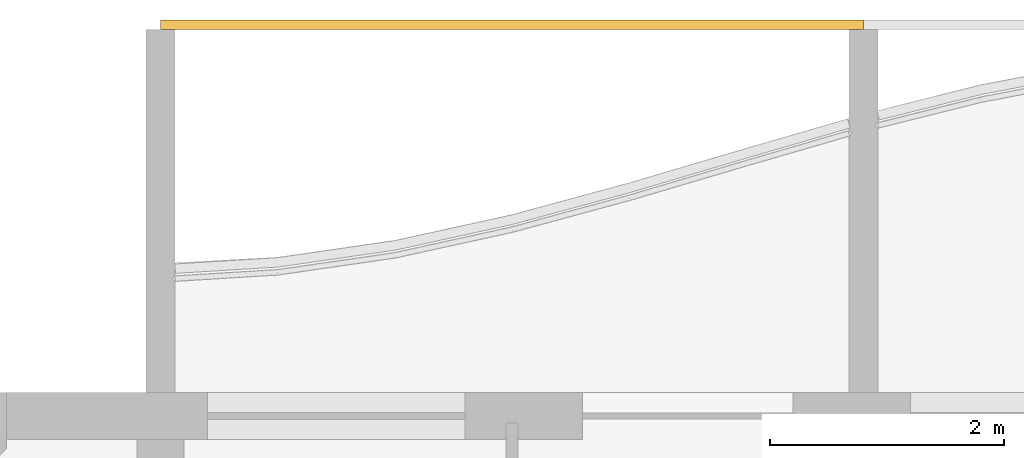
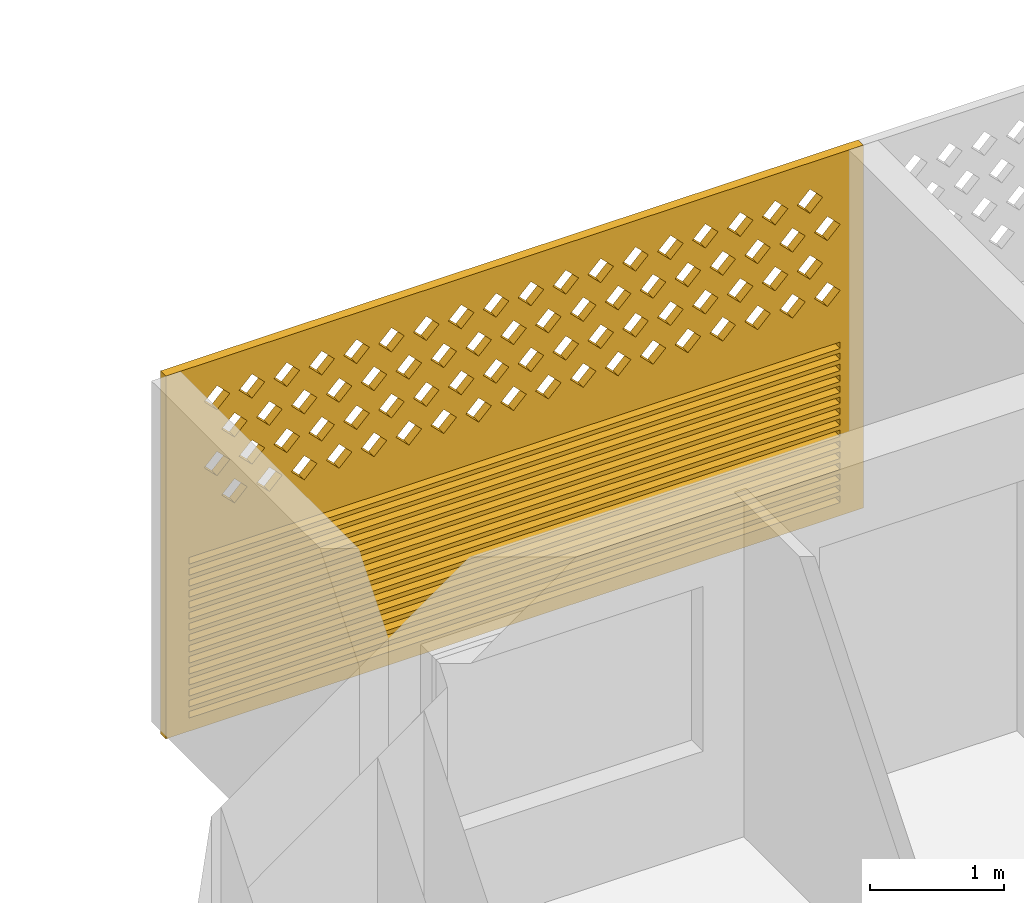
# One storey, part 20 of 39: 1 covering.
"""IFC4 building model written with IfcOpenShell, lengths in metres."""

from ifc_helpers import new_model, si_unit, direction, frame, origin, place, context, subcontext, project, spatial, polyline, outline, extrude, source, transform, mapped, material, material_profile, profile_set, type_object, element, save


model = new_model("IFC4")

# Units and contexts
model_context = context("Model", 3, precision=1e-05, world=origin(), true_north=direction((0.0, 1.0)))
body_context = subcontext(model_context, "Body", "Model", "MODEL_VIEW")
ifc_project = project(units=[si_unit("LENGTHUNIT", "METRE"), si_unit("AREAUNIT", "SQUARE_METRE"), si_unit("VOLUMEUNIT", "CUBIC_METRE"), si_unit("PLANEANGLEUNIT", "RADIAN"), si_unit("MASSUNIT", "GRAM", prefix="KILO")], contexts=[model_context])

# Site, building, storey
site_placement = place(None, origin())
site = spatial("IfcSite", under=ifc_project, at=site_placement, CompositionType="ELEMENT")
building_placement = place(site_placement, origin())
building = spatial("IfcBuilding", under=site, at=building_placement, Name="Poui Terraces", CompositionType="ELEMENT")
storey_placement = place(building_placement, frame((0.0, 0.0, 59.699951171875)))
storey = spatial("IfcBuildingStorey", under=building, at=storey_placement, Name="L16", CompositionType="ELEMENT", Elevation=59.699951171875)

# Covering
ifc_material = material(Name="Terracotta screen", Category="masonry")
ifc_material_profile = material_profile(ifc_material, outline(polyline([(-3.0, -1.64990234375), (3.0, -1.64990234375), (3.0, 1.64990234375), (-3.0, 1.64990234375), (-3.0, -1.64990234375)]), holes=[polyline([(-2.800048828125, 0.39990234375), (-2.68994140625, 0.2900390625), (-2.580078125, 0.39990234375), (-2.68994140625, 0.510009765625), (-2.800048828125, 0.39990234375)]), polyline([(-2.5, 0.39990234375), (-2.389892578125, 0.2900390625), (-2.280029296875, 0.39990234375), (-2.389892578125, 0.510009765625), (-2.5, 0.39990234375)]), polyline([(-2.199951171875, 0.39990234375), (-2.090087890625, 0.2900390625), (-1.97998046875, 0.39990234375), (-2.090087890625, 0.510009765625), (-2.199951171875, 0.39990234375)]), polyline([(-1.89990234375, 0.39990234375), (-1.7900390625, 0.2900390625), (-1.679931640625, 0.39990234375), (-1.7900390625, 0.510009765625), (-1.89990234375, 0.39990234375)]), polyline([(-1.60009765625, 0.39990234375), (-1.489990234375, 0.2900390625), (-1.3798828125, 0.39990234375), (-1.489990234375, 0.510009765625), (-1.60009765625, 0.39990234375)]), polyline([(-1.300048828125, 0.39990234375), (-1.18994140625, 0.2900390625), (-1.080078125, 0.39990234375), (-1.18994140625, 0.510009765625), (-1.300048828125, 0.39990234375)]), polyline([(-1.0, 0.39990234375), (-0.889892578125, 0.2900390625), (-0.780029296875, 0.39990234375), (-0.889892578125, 0.510009765625), (-1.0, 0.39990234375)]), polyline([(-0.699951171875, 0.39990234375), (-0.590087890625, 0.2900390625), (-0.47998046875, 0.39990234375), (-0.590087890625, 0.510009765625), (-0.699951171875, 0.39990234375)]), polyline([(-0.39990234375, 0.39990234375), (-0.2900390625, 0.2900390625), (-0.179931640625, 0.39990234375), (-0.2900390625, 0.510009765625), (-0.39990234375, 0.39990234375)]), polyline([(-0.10009765625, 0.39990234375), (0.010009765625, 0.2900390625), (0.1201171875, 0.39990234375), (0.010009765625, 0.510009765625), (-0.10009765625, 0.39990234375)]), polyline([(0.199951171875, 0.39990234375), (0.31005859375, 0.2900390625), (0.419921875, 0.39990234375), (0.31005859375, 0.510009765625), (0.199951171875, 0.39990234375)]), polyline([(0.5, 0.39990234375), (0.610107421875, 0.2900390625), (0.719970703125, 0.39990234375), (0.610107421875, 0.510009765625), (0.5, 0.39990234375)]), polyline([(0.800048828125, 0.39990234375), (0.909912109375, 0.2900390625), (1.02001953125, 0.39990234375), (0.909912109375, 0.510009765625), (0.800048828125, 0.39990234375)]), polyline([(1.10009765625, 0.39990234375), (1.2099609375, 0.2900390625), (1.320068359375, 0.39990234375), (1.2099609375, 0.510009765625), (1.10009765625, 0.39990234375)]), polyline([(1.39990234375, 0.39990234375), (1.510009765625, 0.2900390625), (1.6201171875, 0.39990234375), (1.510009765625, 0.510009765625), (1.39990234375, 0.39990234375)]), polyline([(1.699951171875, 0.39990234375), (1.81005859375, 0.2900390625), (1.919921875, 0.39990234375), (1.81005859375, 0.510009765625), (1.699951171875, 0.39990234375)]), polyline([(2.0, 0.39990234375), (2.110107421875, 0.2900390625), (2.219970703125, 0.39990234375), (2.110107421875, 0.510009765625), (2.0, 0.39990234375)]), polyline([(2.300048828125, 0.39990234375), (2.409912109375, 0.2900390625), (2.52001953125, 0.39990234375), (2.409912109375, 0.510009765625), (2.300048828125, 0.39990234375)]), polyline([(-2.64990234375, 0.699951171875), (-2.5400390625, 0.590087890625), (-2.429931640625, 0.699951171875), (-2.5400390625, 0.81005859375), (-2.64990234375, 0.699951171875)]), polyline([(-2.35009765625, 0.699951171875), (-2.239990234375, 0.590087890625), (-2.1298828125, 0.699951171875), (-2.239990234375, 0.81005859375), (-2.35009765625, 0.699951171875)]), polyline([(-2.050048828125, 0.699951171875), (-1.93994140625, 0.590087890625), (-1.830078125, 0.699951171875), (-1.93994140625, 0.81005859375), (-2.050048828125, 0.699951171875)]), polyline([(-1.75, 0.699951171875), (-1.639892578125, 0.590087890625), (-1.530029296875, 0.699951171875), (-1.639892578125, 0.81005859375), (-1.75, 0.699951171875)]), polyline([(-1.449951171875, 0.699951171875), (-1.340087890625, 0.590087890625), (-1.22998046875, 0.699951171875), (-1.340087890625, 0.81005859375), (-1.449951171875, 0.699951171875)]), polyline([(-1.14990234375, 0.699951171875), (-1.0400390625, 0.590087890625), (-0.929931640625, 0.699951171875), (-1.0400390625, 0.81005859375), (-1.14990234375, 0.699951171875)]), polyline([(-0.85009765625, 0.699951171875), (-0.739990234375, 0.590087890625), (-0.6298828125, 0.699951171875), (-0.739990234375, 0.81005859375), (-0.85009765625, 0.699951171875)]), polyline([(-0.550048828125, 0.699951171875), (-0.43994140625, 0.590087890625), (-0.330078125, 0.699951171875), (-0.43994140625, 0.81005859375), (-0.550048828125, 0.699951171875)]), polyline([(-0.25, 0.699951171875), (-0.139892578125, 0.590087890625), (-0.030029296875, 0.699951171875), (-0.139892578125, 0.81005859375), (-0.25, 0.699951171875)]), polyline([(0.050048828125, 0.699951171875), (0.159912109375, 0.590087890625), (0.27001953125, 0.699951171875), (0.159912109375, 0.81005859375), (0.050048828125, 0.699951171875)]), polyline([(0.35009765625, 0.699951171875), (0.4599609375, 0.590087890625), (0.570068359375, 0.699951171875), (0.4599609375, 0.81005859375), (0.35009765625, 0.699951171875)]), polyline([(0.64990234375, 0.699951171875), (0.760009765625, 0.590087890625), (0.8701171875, 0.699951171875), (0.760009765625, 0.81005859375), (0.64990234375, 0.699951171875)]), polyline([(0.949951171875, 0.699951171875), (1.06005859375, 0.590087890625), (1.169921875, 0.699951171875), (1.06005859375, 0.81005859375), (0.949951171875, 0.699951171875)]), polyline([(1.25, 0.699951171875), (1.360107421875, 0.590087890625), (1.469970703125, 0.699951171875), (1.360107421875, 0.81005859375), (1.25, 0.699951171875)]), polyline([(1.550048828125, 0.699951171875), (1.659912109375, 0.590087890625), (1.77001953125, 0.699951171875), (1.659912109375, 0.81005859375), (1.550048828125, 0.699951171875)]), polyline([(1.85009765625, 0.699951171875), (1.9599609375, 0.590087890625), (2.070068359375, 0.699951171875), (1.9599609375, 0.81005859375), (1.85009765625, 0.699951171875)]), polyline([(2.14990234375, 0.699951171875), (2.260009765625, 0.590087890625), (2.3701171875, 0.699951171875), (2.260009765625, 0.81005859375), (2.14990234375, 0.699951171875)]), polyline([(2.449951171875, 0.699951171875), (2.56005859375, 0.590087890625), (2.669921875, 0.699951171875), (2.56005859375, 0.81005859375), (2.449951171875, 0.699951171875)]), polyline([(-2.800048828125, 1.0), (-2.68994140625, 0.889892578125), (-2.580078125, 1.0), (-2.68994140625, 1.110107421875), (-2.800048828125, 1.0)]), polyline([(-2.5, 1.0), (-2.389892578125, 0.889892578125), (-2.280029296875, 1.0), (-2.389892578125, 1.110107421875), (-2.5, 1.0)]), polyline([(-2.199951171875, 1.0), (-2.090087890625, 0.889892578125), (-1.97998046875, 1.0), (-2.090087890625, 1.110107421875), (-2.199951171875, 1.0)]), polyline([(-1.89990234375, 1.0), (-1.7900390625, 0.889892578125), (-1.679931640625, 1.0), (-1.7900390625, 1.110107421875), (-1.89990234375, 1.0)]), polyline([(-1.60009765625, 1.0), (-1.489990234375, 0.889892578125), (-1.3798828125, 1.0), (-1.489990234375, 1.110107421875), (-1.60009765625, 1.0)]), polyline([(-1.300048828125, 1.0), (-1.18994140625, 0.889892578125), (-1.080078125, 1.0), (-1.18994140625, 1.110107421875), (-1.300048828125, 1.0)]), polyline([(-1.0, 1.0), (-0.889892578125, 0.889892578125), (-0.780029296875, 1.0), (-0.889892578125, 1.110107421875), (-1.0, 1.0)]), polyline([(-0.699951171875, 1.0), (-0.590087890625, 0.889892578125), (-0.47998046875, 1.0), (-0.590087890625, 1.110107421875), (-0.699951171875, 1.0)]), polyline([(-0.39990234375, 1.0), (-0.2900390625, 0.889892578125), (-0.179931640625, 1.0), (-0.2900390625, 1.110107421875), (-0.39990234375, 1.0)]), polyline([(-0.10009765625, 1.0), (0.010009765625, 0.889892578125), (0.1201171875, 1.0), (0.010009765625, 1.110107421875), (-0.10009765625, 1.0)]), polyline([(0.199951171875, 1.0), (0.31005859375, 0.889892578125), (0.419921875, 1.0), (0.31005859375, 1.110107421875), (0.199951171875, 1.0)]), polyline([(0.5, 1.0), (0.610107421875, 0.889892578125), (0.719970703125, 1.0), (0.610107421875, 1.110107421875), (0.5, 1.0)]), polyline([(0.800048828125, 1.0), (0.909912109375, 0.889892578125), (1.02001953125, 1.0), (0.909912109375, 1.110107421875), (0.800048828125, 1.0)]), polyline([(1.10009765625, 1.0), (1.2099609375, 0.889892578125), (1.320068359375, 1.0), (1.2099609375, 1.110107421875), (1.10009765625, 1.0)]), polyline([(1.39990234375, 1.0), (1.510009765625, 0.889892578125), (1.6201171875, 1.0), (1.510009765625, 1.110107421875), (1.39990234375, 1.0)]), polyline([(1.699951171875, 1.0), (1.81005859375, 0.889892578125), (1.919921875, 1.0), (1.81005859375, 1.110107421875), (1.699951171875, 1.0)]), polyline([(2.0, 1.0), (2.110107421875, 0.889892578125), (2.219970703125, 1.0), (2.110107421875, 1.110107421875), (2.0, 1.0)]), polyline([(2.300048828125, 1.0), (2.409912109375, 0.889892578125), (2.52001953125, 1.0), (2.409912109375, 1.110107421875), (2.300048828125, 1.0)]), polyline([(-2.64990234375, 1.300048828125), (-2.5400390625, 1.18994140625), (-2.429931640625, 1.300048828125), (-2.5400390625, 1.409912109375), (-2.64990234375, 1.300048828125)]), polyline([(-2.35009765625, 1.300048828125), (-2.239990234375, 1.18994140625), (-2.1298828125, 1.300048828125), (-2.239990234375, 1.409912109375), (-2.35009765625, 1.300048828125)]), polyline([(-2.050048828125, 1.300048828125), (-1.93994140625, 1.18994140625), (-1.830078125, 1.300048828125), (-1.93994140625, 1.409912109375), (-2.050048828125, 1.300048828125)]), polyline([(-1.75, 1.300048828125), (-1.639892578125, 1.18994140625), (-1.530029296875, 1.300048828125), (-1.639892578125, 1.409912109375), (-1.75, 1.300048828125)]), polyline([(-1.449951171875, 1.300048828125), (-1.340087890625, 1.18994140625), (-1.22998046875, 1.300048828125), (-1.340087890625, 1.409912109375), (-1.449951171875, 1.300048828125)]), polyline([(-1.14990234375, 1.300048828125), (-1.0400390625, 1.18994140625), (-0.929931640625, 1.300048828125), (-1.0400390625, 1.409912109375), (-1.14990234375, 1.300048828125)]), polyline([(-0.85009765625, 1.300048828125), (-0.739990234375, 1.18994140625), (-0.6298828125, 1.300048828125), (-0.739990234375, 1.409912109375), (-0.85009765625, 1.300048828125)]), polyline([(-0.550048828125, 1.300048828125), (-0.43994140625, 1.18994140625), (-0.330078125, 1.300048828125), (-0.43994140625, 1.409912109375), (-0.550048828125, 1.300048828125)]), polyline([(-0.25, 1.300048828125), (-0.139892578125, 1.18994140625), (-0.030029296875, 1.300048828125), (-0.139892578125, 1.409912109375), (-0.25, 1.300048828125)]), polyline([(0.050048828125, 1.300048828125), (0.159912109375, 1.18994140625), (0.27001953125, 1.300048828125), (0.159912109375, 1.409912109375), (0.050048828125, 1.300048828125)]), polyline([(0.35009765625, 1.300048828125), (0.4599609375, 1.18994140625), (0.570068359375, 1.300048828125), (0.4599609375, 1.409912109375), (0.35009765625, 1.300048828125)]), polyline([(0.64990234375, 1.300048828125), (0.760009765625, 1.18994140625), (0.8701171875, 1.300048828125), (0.760009765625, 1.409912109375), (0.64990234375, 1.300048828125)]), polyline([(0.949951171875, 1.300048828125), (1.06005859375, 1.18994140625), (1.169921875, 1.300048828125), (1.06005859375, 1.409912109375), (0.949951171875, 1.300048828125)]), polyline([(1.25, 1.300048828125), (1.360107421875, 1.18994140625), (1.469970703125, 1.300048828125), (1.360107421875, 1.409912109375), (1.25, 1.300048828125)]), polyline([(1.550048828125, 1.300048828125), (1.659912109375, 1.18994140625), (1.77001953125, 1.300048828125), (1.659912109375, 1.409912109375), (1.550048828125, 1.300048828125)]), polyline([(1.85009765625, 1.300048828125), (1.9599609375, 1.18994140625), (2.070068359375, 1.300048828125), (1.9599609375, 1.409912109375), (1.85009765625, 1.300048828125)]), polyline([(2.14990234375, 1.300048828125), (2.260009765625, 1.18994140625), (2.3701171875, 1.300048828125), (2.260009765625, 1.409912109375), (2.14990234375, 1.300048828125)]), polyline([(2.449951171875, 1.300048828125), (2.56005859375, 1.18994140625), (2.669921875, 1.300048828125), (2.56005859375, 1.409912109375), (2.449951171875, 1.300048828125)]), polyline([(-2.800048828125, -1.530029296875), (2.800048828125, -1.530029296875), (2.800048828125, -1.469970703125), (-2.800048828125, -1.469970703125), (-2.800048828125, -1.530029296875)]), polyline([(-2.800048828125, -1.429931640625), (2.800048828125, -1.429931640625), (2.800048828125, -1.3701171875), (-2.800048828125, -1.3701171875), (-2.800048828125, -1.429931640625)]), polyline([(-2.800048828125, -1.330078125), (2.800048828125, -1.330078125), (2.800048828125, -1.27001953125), (-2.800048828125, -1.27001953125), (-2.800048828125, -1.330078125)]), polyline([(-2.800048828125, -1.22998046875), (2.800048828125, -1.22998046875), (2.800048828125, -1.169921875), (-2.800048828125, -1.169921875), (-2.800048828125, -1.22998046875)]), polyline([(-2.800048828125, -1.1298828125), (2.800048828125, -1.1298828125), (2.800048828125, -1.070068359375), (-2.800048828125, -1.070068359375), (-2.800048828125, -1.1298828125)]), polyline([(-2.800048828125, -1.030029296875), (2.800048828125, -1.030029296875), (2.800048828125, -0.969970703125), (-2.800048828125, -0.969970703125), (-2.800048828125, -1.030029296875)]), polyline([(-2.800048828125, -0.929931640625), (2.800048828125, -0.929931640625), (2.800048828125, -0.8701171875), (-2.800048828125, -0.8701171875), (-2.800048828125, -0.929931640625)]), polyline([(-2.800048828125, -0.830078125), (2.800048828125, -0.830078125), (2.800048828125, -0.77001953125), (-2.800048828125, -0.77001953125), (-2.800048828125, -0.830078125)]), polyline([(-2.800048828125, -0.72998046875), (2.800048828125, -0.72998046875), (2.800048828125, -0.669921875), (-2.800048828125, -0.669921875), (-2.800048828125, -0.72998046875)]), polyline([(-2.800048828125, -0.6298828125), (2.800048828125, -0.6298828125), (2.800048828125, -0.570068359375), (-2.800048828125, -0.570068359375), (-2.800048828125, -0.6298828125)]), polyline([(-2.800048828125, -0.530029296875), (2.800048828125, -0.530029296875), (2.800048828125, -0.469970703125), (-2.800048828125, -0.469970703125), (-2.800048828125, -0.530029296875)]), polyline([(-2.800048828125, -0.429931640625), (2.800048828125, -0.429931640625), (2.800048828125, -0.3701171875), (-2.800048828125, -0.3701171875), (-2.800048828125, -0.429931640625)]), polyline([(-2.800048828125, -0.330078125), (2.800048828125, -0.330078125), (2.800048828125, -0.27001953125), (-2.800048828125, -0.27001953125), (-2.800048828125, -0.330078125)]), polyline([(-2.800048828125, -0.22998046875), (2.800048828125, -0.22998046875), (2.800048828125, -0.169921875), (-2.800048828125, -0.169921875), (-2.800048828125, -0.22998046875)]), polyline([(-2.800048828125, -0.1298828125), (2.800048828125, -0.1298828125), (2.800048828125, -0.070068359375), (-2.800048828125, -0.070068359375), (-2.800048828125, -0.1298828125)])]), Name="TERRACOTTA SCREEN AND JALOUSIE LOUVRE 6000X3300")
ifc_profile_set = profile_set([ifc_material_profile], Name="Terracotta screen")
covering_type = type_object("IfcCoveringType", Name="TERRACOTTA SCREEN AND JALOUSIE LOUVRE 6000X3300", PredefinedType="CLADDING", material=ifc_profile_set)
shared_shape = source(origin(), body_context, "Body", "SweptSolid", [
    extrude(outline(polyline([(-3.0, -1.64990234375), (3.0, -1.64990234375), (3.0, 1.64990234375), (-3.0, 1.64990234375), (-3.0, -1.64990234375)]), holes=[polyline([(-2.800048828125, 0.39990234375), (-2.68994140625, 0.2900390625), (-2.580078125, 0.39990234375), (-2.68994140625, 0.510009765625), (-2.800048828125, 0.39990234375)]), polyline([(-2.5, 0.39990234375), (-2.389892578125, 0.2900390625), (-2.280029296875, 0.39990234375), (-2.389892578125, 0.510009765625), (-2.5, 0.39990234375)]), polyline([(-2.199951171875, 0.39990234375), (-2.090087890625, 0.2900390625), (-1.97998046875, 0.39990234375), (-2.090087890625, 0.510009765625), (-2.199951171875, 0.39990234375)]), polyline([(-1.89990234375, 0.39990234375), (-1.7900390625, 0.2900390625), (-1.679931640625, 0.39990234375), (-1.7900390625, 0.510009765625), (-1.89990234375, 0.39990234375)]), polyline([(-1.60009765625, 0.39990234375), (-1.489990234375, 0.2900390625), (-1.3798828125, 0.39990234375), (-1.489990234375, 0.510009765625), (-1.60009765625, 0.39990234375)]), polyline([(-1.300048828125, 0.39990234375), (-1.18994140625, 0.2900390625), (-1.080078125, 0.39990234375), (-1.18994140625, 0.510009765625), (-1.300048828125, 0.39990234375)]), polyline([(-1.0, 0.39990234375), (-0.889892578125, 0.2900390625), (-0.780029296875, 0.39990234375), (-0.889892578125, 0.510009765625), (-1.0, 0.39990234375)]), polyline([(-0.699951171875, 0.39990234375), (-0.590087890625, 0.2900390625), (-0.47998046875, 0.39990234375), (-0.590087890625, 0.510009765625), (-0.699951171875, 0.39990234375)]), polyline([(-0.39990234375, 0.39990234375), (-0.2900390625, 0.2900390625), (-0.179931640625, 0.39990234375), (-0.2900390625, 0.510009765625), (-0.39990234375, 0.39990234375)]), polyline([(-0.10009765625, 0.39990234375), (0.010009765625, 0.2900390625), (0.1201171875, 0.39990234375), (0.010009765625, 0.510009765625), (-0.10009765625, 0.39990234375)]), polyline([(0.199951171875, 0.39990234375), (0.31005859375, 0.2900390625), (0.419921875, 0.39990234375), (0.31005859375, 0.510009765625), (0.199951171875, 0.39990234375)]), polyline([(0.5, 0.39990234375), (0.610107421875, 0.2900390625), (0.719970703125, 0.39990234375), (0.610107421875, 0.510009765625), (0.5, 0.39990234375)]), polyline([(0.800048828125, 0.39990234375), (0.909912109375, 0.2900390625), (1.02001953125, 0.39990234375), (0.909912109375, 0.510009765625), (0.800048828125, 0.39990234375)]), polyline([(1.10009765625, 0.39990234375), (1.2099609375, 0.2900390625), (1.320068359375, 0.39990234375), (1.2099609375, 0.510009765625), (1.10009765625, 0.39990234375)]), polyline([(1.39990234375, 0.39990234375), (1.510009765625, 0.2900390625), (1.6201171875, 0.39990234375), (1.510009765625, 0.510009765625), (1.39990234375, 0.39990234375)]), polyline([(1.699951171875, 0.39990234375), (1.81005859375, 0.2900390625), (1.919921875, 0.39990234375), (1.81005859375, 0.510009765625), (1.699951171875, 0.39990234375)]), polyline([(2.0, 0.39990234375), (2.110107421875, 0.2900390625), (2.219970703125, 0.39990234375), (2.110107421875, 0.510009765625), (2.0, 0.39990234375)]), polyline([(2.300048828125, 0.39990234375), (2.409912109375, 0.2900390625), (2.52001953125, 0.39990234375), (2.409912109375, 0.510009765625), (2.300048828125, 0.39990234375)]), polyline([(-2.64990234375, 0.699951171875), (-2.5400390625, 0.590087890625), (-2.429931640625, 0.699951171875), (-2.5400390625, 0.81005859375), (-2.64990234375, 0.699951171875)]), polyline([(-2.35009765625, 0.699951171875), (-2.239990234375, 0.590087890625), (-2.1298828125, 0.699951171875), (-2.239990234375, 0.81005859375), (-2.35009765625, 0.699951171875)]), polyline([(-2.050048828125, 0.699951171875), (-1.93994140625, 0.590087890625), (-1.830078125, 0.699951171875), (-1.93994140625, 0.81005859375), (-2.050048828125, 0.699951171875)]), polyline([(-1.75, 0.699951171875), (-1.639892578125, 0.590087890625), (-1.530029296875, 0.699951171875), (-1.639892578125, 0.81005859375), (-1.75, 0.699951171875)]), polyline([(-1.449951171875, 0.699951171875), (-1.340087890625, 0.590087890625), (-1.22998046875, 0.699951171875), (-1.340087890625, 0.81005859375), (-1.449951171875, 0.699951171875)]), polyline([(-1.14990234375, 0.699951171875), (-1.0400390625, 0.590087890625), (-0.929931640625, 0.699951171875), (-1.0400390625, 0.81005859375), (-1.14990234375, 0.699951171875)]), polyline([(-0.85009765625, 0.699951171875), (-0.739990234375, 0.590087890625), (-0.6298828125, 0.699951171875), (-0.739990234375, 0.81005859375), (-0.85009765625, 0.699951171875)]), polyline([(-0.550048828125, 0.699951171875), (-0.43994140625, 0.590087890625), (-0.330078125, 0.699951171875), (-0.43994140625, 0.81005859375), (-0.550048828125, 0.699951171875)]), polyline([(-0.25, 0.699951171875), (-0.139892578125, 0.590087890625), (-0.030029296875, 0.699951171875), (-0.139892578125, 0.81005859375), (-0.25, 0.699951171875)]), polyline([(0.050048828125, 0.699951171875), (0.159912109375, 0.590087890625), (0.27001953125, 0.699951171875), (0.159912109375, 0.81005859375), (0.050048828125, 0.699951171875)]), polyline([(0.35009765625, 0.699951171875), (0.4599609375, 0.590087890625), (0.570068359375, 0.699951171875), (0.4599609375, 0.81005859375), (0.35009765625, 0.699951171875)]), polyline([(0.64990234375, 0.699951171875), (0.760009765625, 0.590087890625), (0.8701171875, 0.699951171875), (0.760009765625, 0.81005859375), (0.64990234375, 0.699951171875)]), polyline([(0.949951171875, 0.699951171875), (1.06005859375, 0.590087890625), (1.169921875, 0.699951171875), (1.06005859375, 0.81005859375), (0.949951171875, 0.699951171875)]), polyline([(1.25, 0.699951171875), (1.360107421875, 0.590087890625), (1.469970703125, 0.699951171875), (1.360107421875, 0.81005859375), (1.25, 0.699951171875)]), polyline([(1.550048828125, 0.699951171875), (1.659912109375, 0.590087890625), (1.77001953125, 0.699951171875), (1.659912109375, 0.81005859375), (1.550048828125, 0.699951171875)]), polyline([(1.85009765625, 0.699951171875), (1.9599609375, 0.590087890625), (2.070068359375, 0.699951171875), (1.9599609375, 0.81005859375), (1.85009765625, 0.699951171875)]), polyline([(2.14990234375, 0.699951171875), (2.260009765625, 0.590087890625), (2.3701171875, 0.699951171875), (2.260009765625, 0.81005859375), (2.14990234375, 0.699951171875)]), polyline([(2.449951171875, 0.699951171875), (2.56005859375, 0.590087890625), (2.669921875, 0.699951171875), (2.56005859375, 0.81005859375), (2.449951171875, 0.699951171875)]), polyline([(-2.800048828125, 1.0), (-2.68994140625, 0.889892578125), (-2.580078125, 1.0), (-2.68994140625, 1.110107421875), (-2.800048828125, 1.0)]), polyline([(-2.5, 1.0), (-2.389892578125, 0.889892578125), (-2.280029296875, 1.0), (-2.389892578125, 1.110107421875), (-2.5, 1.0)]), polyline([(-2.199951171875, 1.0), (-2.090087890625, 0.889892578125), (-1.97998046875, 1.0), (-2.090087890625, 1.110107421875), (-2.199951171875, 1.0)]), polyline([(-1.89990234375, 1.0), (-1.7900390625, 0.889892578125), (-1.679931640625, 1.0), (-1.7900390625, 1.110107421875), (-1.89990234375, 1.0)]), polyline([(-1.60009765625, 1.0), (-1.489990234375, 0.889892578125), (-1.3798828125, 1.0), (-1.489990234375, 1.110107421875), (-1.60009765625, 1.0)]), polyline([(-1.300048828125, 1.0), (-1.18994140625, 0.889892578125), (-1.080078125, 1.0), (-1.18994140625, 1.110107421875), (-1.300048828125, 1.0)]), polyline([(-1.0, 1.0), (-0.889892578125, 0.889892578125), (-0.780029296875, 1.0), (-0.889892578125, 1.110107421875), (-1.0, 1.0)]), polyline([(-0.699951171875, 1.0), (-0.590087890625, 0.889892578125), (-0.47998046875, 1.0), (-0.590087890625, 1.110107421875), (-0.699951171875, 1.0)]), polyline([(-0.39990234375, 1.0), (-0.2900390625, 0.889892578125), (-0.179931640625, 1.0), (-0.2900390625, 1.110107421875), (-0.39990234375, 1.0)]), polyline([(-0.10009765625, 1.0), (0.010009765625, 0.889892578125), (0.1201171875, 1.0), (0.010009765625, 1.110107421875), (-0.10009765625, 1.0)]), polyline([(0.199951171875, 1.0), (0.31005859375, 0.889892578125), (0.419921875, 1.0), (0.31005859375, 1.110107421875), (0.199951171875, 1.0)]), polyline([(0.5, 1.0), (0.610107421875, 0.889892578125), (0.719970703125, 1.0), (0.610107421875, 1.110107421875), (0.5, 1.0)]), polyline([(0.800048828125, 1.0), (0.909912109375, 0.889892578125), (1.02001953125, 1.0), (0.909912109375, 1.110107421875), (0.800048828125, 1.0)]), polyline([(1.10009765625, 1.0), (1.2099609375, 0.889892578125), (1.320068359375, 1.0), (1.2099609375, 1.110107421875), (1.10009765625, 1.0)]), polyline([(1.39990234375, 1.0), (1.510009765625, 0.889892578125), (1.6201171875, 1.0), (1.510009765625, 1.110107421875), (1.39990234375, 1.0)]), polyline([(1.699951171875, 1.0), (1.81005859375, 0.889892578125), (1.919921875, 1.0), (1.81005859375, 1.110107421875), (1.699951171875, 1.0)]), polyline([(2.0, 1.0), (2.110107421875, 0.889892578125), (2.219970703125, 1.0), (2.110107421875, 1.110107421875), (2.0, 1.0)]), polyline([(2.300048828125, 1.0), (2.409912109375, 0.889892578125), (2.52001953125, 1.0), (2.409912109375, 1.110107421875), (2.300048828125, 1.0)]), polyline([(-2.64990234375, 1.300048828125), (-2.5400390625, 1.18994140625), (-2.429931640625, 1.300048828125), (-2.5400390625, 1.409912109375), (-2.64990234375, 1.300048828125)]), polyline([(-2.35009765625, 1.300048828125), (-2.239990234375, 1.18994140625), (-2.1298828125, 1.300048828125), (-2.239990234375, 1.409912109375), (-2.35009765625, 1.300048828125)]), polyline([(-2.050048828125, 1.300048828125), (-1.93994140625, 1.18994140625), (-1.830078125, 1.300048828125), (-1.93994140625, 1.409912109375), (-2.050048828125, 1.300048828125)]), polyline([(-1.75, 1.300048828125), (-1.639892578125, 1.18994140625), (-1.530029296875, 1.300048828125), (-1.639892578125, 1.409912109375), (-1.75, 1.300048828125)]), polyline([(-1.449951171875, 1.300048828125), (-1.340087890625, 1.18994140625), (-1.22998046875, 1.300048828125), (-1.340087890625, 1.409912109375), (-1.449951171875, 1.300048828125)]), polyline([(-1.14990234375, 1.300048828125), (-1.0400390625, 1.18994140625), (-0.929931640625, 1.300048828125), (-1.0400390625, 1.409912109375), (-1.14990234375, 1.300048828125)]), polyline([(-0.85009765625, 1.300048828125), (-0.739990234375, 1.18994140625), (-0.6298828125, 1.300048828125), (-0.739990234375, 1.409912109375), (-0.85009765625, 1.300048828125)]), polyline([(-0.550048828125, 1.300048828125), (-0.43994140625, 1.18994140625), (-0.330078125, 1.300048828125), (-0.43994140625, 1.409912109375), (-0.550048828125, 1.300048828125)]), polyline([(-0.25, 1.300048828125), (-0.139892578125, 1.18994140625), (-0.030029296875, 1.300048828125), (-0.139892578125, 1.409912109375), (-0.25, 1.300048828125)]), polyline([(0.050048828125, 1.300048828125), (0.159912109375, 1.18994140625), (0.27001953125, 1.300048828125), (0.159912109375, 1.409912109375), (0.050048828125, 1.300048828125)]), polyline([(0.35009765625, 1.300048828125), (0.4599609375, 1.18994140625), (0.570068359375, 1.300048828125), (0.4599609375, 1.409912109375), (0.35009765625, 1.300048828125)]), polyline([(0.64990234375, 1.300048828125), (0.760009765625, 1.18994140625), (0.8701171875, 1.300048828125), (0.760009765625, 1.409912109375), (0.64990234375, 1.300048828125)]), polyline([(0.949951171875, 1.300048828125), (1.06005859375, 1.18994140625), (1.169921875, 1.300048828125), (1.06005859375, 1.409912109375), (0.949951171875, 1.300048828125)]), polyline([(1.25, 1.300048828125), (1.360107421875, 1.18994140625), (1.469970703125, 1.300048828125), (1.360107421875, 1.409912109375), (1.25, 1.300048828125)]), polyline([(1.550048828125, 1.300048828125), (1.659912109375, 1.18994140625), (1.77001953125, 1.300048828125), (1.659912109375, 1.409912109375), (1.550048828125, 1.300048828125)]), polyline([(1.85009765625, 1.300048828125), (1.9599609375, 1.18994140625), (2.070068359375, 1.300048828125), (1.9599609375, 1.409912109375), (1.85009765625, 1.300048828125)]), polyline([(2.14990234375, 1.300048828125), (2.260009765625, 1.18994140625), (2.3701171875, 1.300048828125), (2.260009765625, 1.409912109375), (2.14990234375, 1.300048828125)]), polyline([(2.449951171875, 1.300048828125), (2.56005859375, 1.18994140625), (2.669921875, 1.300048828125), (2.56005859375, 1.409912109375), (2.449951171875, 1.300048828125)]), polyline([(-2.800048828125, -1.530029296875), (2.800048828125, -1.530029296875), (2.800048828125, -1.469970703125), (-2.800048828125, -1.469970703125), (-2.800048828125, -1.530029296875)]), polyline([(-2.800048828125, -1.429931640625), (2.800048828125, -1.429931640625), (2.800048828125, -1.3701171875), (-2.800048828125, -1.3701171875), (-2.800048828125, -1.429931640625)]), polyline([(-2.800048828125, -1.330078125), (2.800048828125, -1.330078125), (2.800048828125, -1.27001953125), (-2.800048828125, -1.27001953125), (-2.800048828125, -1.330078125)]), polyline([(-2.800048828125, -1.22998046875), (2.800048828125, -1.22998046875), (2.800048828125, -1.169921875), (-2.800048828125, -1.169921875), (-2.800048828125, -1.22998046875)]), polyline([(-2.800048828125, -1.1298828125), (2.800048828125, -1.1298828125), (2.800048828125, -1.070068359375), (-2.800048828125, -1.070068359375), (-2.800048828125, -1.1298828125)]), polyline([(-2.800048828125, -1.030029296875), (2.800048828125, -1.030029296875), (2.800048828125, -0.969970703125), (-2.800048828125, -0.969970703125), (-2.800048828125, -1.030029296875)]), polyline([(-2.800048828125, -0.929931640625), (2.800048828125, -0.929931640625), (2.800048828125, -0.8701171875), (-2.800048828125, -0.8701171875), (-2.800048828125, -0.929931640625)]), polyline([(-2.800048828125, -0.830078125), (2.800048828125, -0.830078125), (2.800048828125, -0.77001953125), (-2.800048828125, -0.77001953125), (-2.800048828125, -0.830078125)]), polyline([(-2.800048828125, -0.72998046875), (2.800048828125, -0.72998046875), (2.800048828125, -0.669921875), (-2.800048828125, -0.669921875), (-2.800048828125, -0.72998046875)]), polyline([(-2.800048828125, -0.6298828125), (2.800048828125, -0.6298828125), (2.800048828125, -0.570068359375), (-2.800048828125, -0.570068359375), (-2.800048828125, -0.6298828125)]), polyline([(-2.800048828125, -0.530029296875), (2.800048828125, -0.530029296875), (2.800048828125, -0.469970703125), (-2.800048828125, -0.469970703125), (-2.800048828125, -0.530029296875)]), polyline([(-2.800048828125, -0.429931640625), (2.800048828125, -0.429931640625), (2.800048828125, -0.3701171875), (-2.800048828125, -0.3701171875), (-2.800048828125, -0.429931640625)]), polyline([(-2.800048828125, -0.330078125), (2.800048828125, -0.330078125), (2.800048828125, -0.27001953125), (-2.800048828125, -0.27001953125), (-2.800048828125, -0.330078125)]), polyline([(-2.800048828125, -0.22998046875), (2.800048828125, -0.22998046875), (2.800048828125, -0.169921875), (-2.800048828125, -0.169921875), (-2.800048828125, -0.22998046875)]), polyline([(-2.800048828125, -0.1298828125), (2.800048828125, -0.1298828125), (2.800048828125, -0.070068359375), (-2.800048828125, -0.070068359375), (-2.800048828125, -0.1298828125)])]), origin(), (0.0, 0.0, 1.0), 0.079833984375),
])
covering_placement = place(storey_placement, frame((15.0, 48.10009765625, 1.449951171875), z_axis=(0.0, 1.0, 0.0), x_axis=(-1.0, 0.0, 0.0)))
element("IfcCovering", 1, at=covering_placement, inside=storey, type_object=covering_type, Name="SOLAR SCREEN AND JALOUSIE LOUVRE", PredefinedType="CLADDING", context=body_context, shape_type="MappedRepresentation", body=[
    mapped(shared_shape, transform((0.0, 0.0, 0.0))),
])

save(model, "model.ifc")
